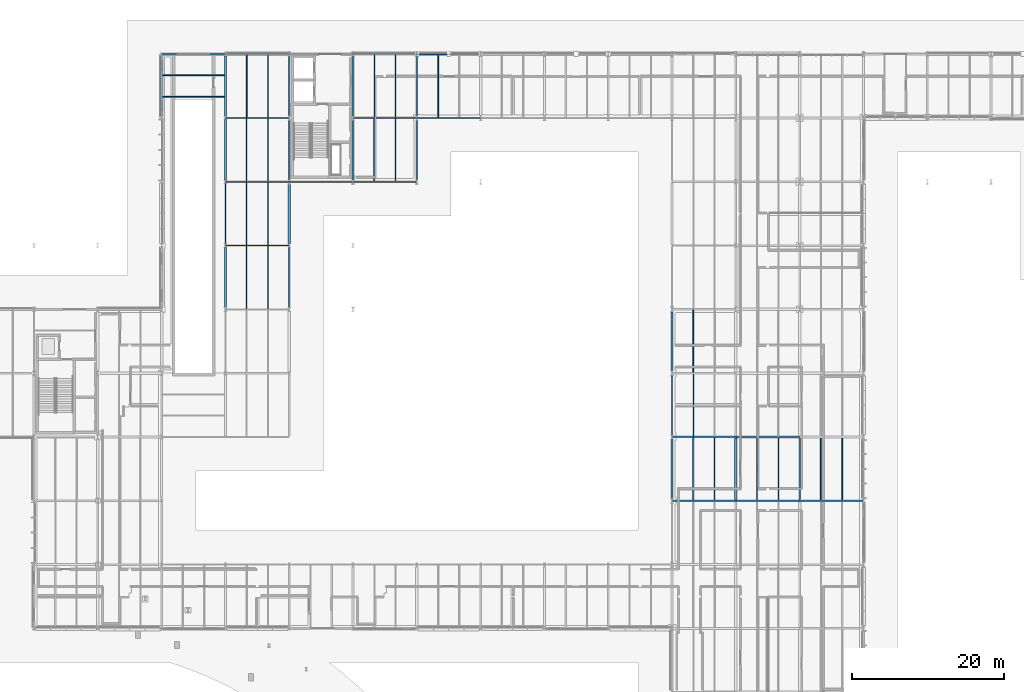
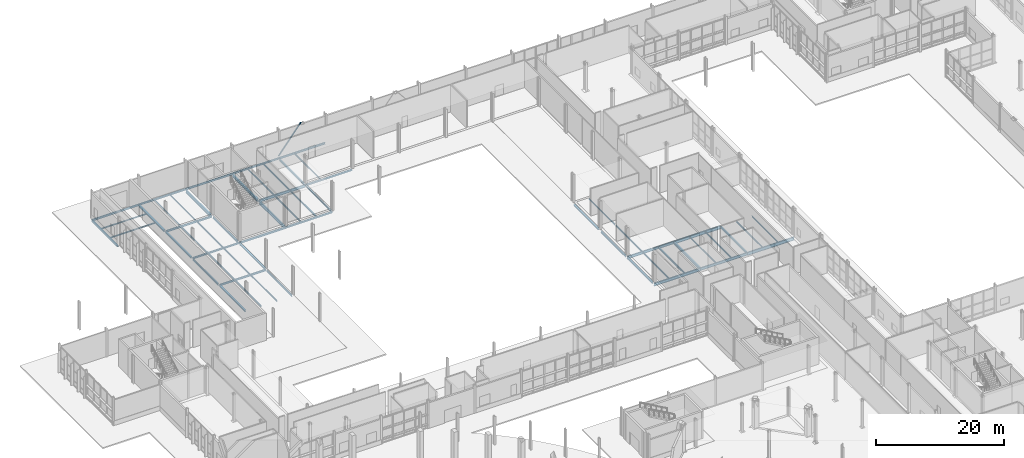
# One storey, part 37 of 124: 58 beams, 1 member.
"""IFC4 building model written with IfcOpenShell, lengths in metres."""

from ifc_helpers import new_model, si_unit, direction, frame, origin, origin_2d, place, context, subcontext, project, spatial, hollow_circle, i_section, extrude, material, material_profile, profile_set, type_object, element, save


model = new_model("IFC4")

# Units and contexts
model_context = context("Model", 3, precision=1e-05, world=origin(), true_north=direction((0.0, 1.0)))
body_context = subcontext(model_context, "Body", "Model", "MODEL_VIEW")
ifc_project = project(units=[si_unit("LENGTHUNIT", "METRE"), si_unit("AREAUNIT", "SQUARE_METRE"), si_unit("VOLUMEUNIT", "CUBIC_METRE"), si_unit("PLANEANGLEUNIT", "RADIAN"), si_unit("MASSUNIT", "GRAM", prefix="KILO")], contexts=[model_context])

# Site, building, storey
site_placement = place(None, origin())
site = spatial("IfcSite", under=ifc_project, at=site_placement, CompositionType="ELEMENT")
building_placement = place(site_placement, origin())
building = spatial("IfcBuilding", under=site, at=building_placement, Name="Mersafa Astral City Hall", CompositionType="ELEMENT")
storey_placement = place(building_placement, origin())
storey = spatial("IfcBuildingStorey", under=building, at=storey_placement, Name="L00", CompositionType="ELEMENT", Elevation=0.0)

# Beams
ifc_material = material(Name="Steel S355", Category="steel")
ifc_material_profile_1 = material_profile(ifc_material, i_section(OverallWidth=0.300048828125, OverallDepth=0.31005859375, WebThickness=0.009033203125, FlangeThickness=0.015380859375, FilletRadius=0.027099609375, at=origin_2d()), Name="HEA 320")
ifc_profile_set_1 = profile_set([ifc_material_profile_1], Name="Steel S355")
beam_type_1 = type_object("IfcBeamType", Name="STR-BM-HEA320", PredefinedType="BEAM", material=ifc_profile_set_1)
beam_1_placement = place(storey_placement, frame((33.60009765625, 117.820068359375, -0.405029296875), z_axis=(0.0, 1.0, 0.0), x_axis=(-1.0, 0.0, 0.0)))
element("IfcBeam", 1, at=beam_1_placement, inside=storey, type_object=beam_type_1, Name="L00 Primary girder Y 4-14", PredefinedType="BEAM", context=body_context, shape_type="SweptSolid", body=[
    extrude(i_section(OverallWidth=0.300048828125, OverallDepth=0.31005859375, WebThickness=0.009033203125, FlangeThickness=0.015380859375, FilletRadius=0.027099609375, at=origin_2d()), origin(), (0.0, 0.0, 1.0), 7.9599609375),
])
ifc_material_profile_2 = material_profile(ifc_material, i_section(OverallWidth=0.300048828125, OverallDepth=0.489990234375, WebThickness=0.011962890625, FlangeThickness=0.02294921875, FilletRadius=0.027099609375, at=origin_2d()), Name="HEA 500")
ifc_profile_set_2 = profile_set([ifc_material_profile_2], Name="Steel S355")
beam_type_2 = type_object("IfcBeamType", Name="STR-BM-HEA500", PredefinedType="BEAM", material=ifc_profile_set_2)
beam_2_placement = place(storey_placement, frame((50.39990234375, 117.89501953125, -0.4951171875), z_axis=(0.0, 1.0, 0.0), x_axis=(-1.0, 0.0, 0.0)))
element("IfcBeam", 2, at=beam_2_placement, inside=storey, type_object=beam_type_2, Name="L00 Primary girder Y 6-14", PredefinedType="BEAM", context=body_context, shape_type="SweptSolid", body=[
    extrude(i_section(OverallWidth=0.300048828125, OverallDepth=0.489990234375, WebThickness=0.011962890625, FlangeThickness=0.02294921875, FilletRadius=0.027099609375, at=origin_2d()), origin(), (0.0, 0.0, 1.0), 7.81005859375),
])
beam_3_placement = place(storey_placement, frame((100.800048828125, 67.344970703125, -0.4951171875), z_axis=(0.0, 1.0, 0.0), x_axis=(-1.0, 0.0, 0.0)))
element("IfcBeam", 3, at=beam_3_placement, inside=storey, type_object=beam_type_2, Name="L00 Primary girder Y 12-8", PredefinedType="BEAM", context=body_context, shape_type="SweptSolid", body=[
    extrude(i_section(OverallWidth=0.300048828125, OverallDepth=0.489990234375, WebThickness=0.011962890625, FlangeThickness=0.02294921875, FilletRadius=0.027099609375, at=origin_2d()), origin(), (0.0, 0.0, 1.0), 8.110107421875),
])
ifc_material_profile_3 = material_profile(ifc_material, i_section(OverallWidth=0.179931640625, OverallDepth=0.39990234375, WebThickness=0.008544921875, FlangeThickness=0.013427734375, FilletRadius=0.02099609375, at=origin_2d()), Name="IPE 400")
ifc_profile_set_3 = profile_set([ifc_material_profile_3], Name="Steel S355")
beam_type_3 = type_object("IfcBeamType", Name="STR-BM-IPE400", PredefinedType="BEAM", material=ifc_profile_set_3)
beam_4_placement = place(storey_placement, frame((58.800048828125, 117.89501953125, -0.449951171875), z_axis=(0.0, 1.0, 0.0), x_axis=(-1.0, 0.0, 0.0)))
element("IfcBeam", 4, at=beam_4_placement, inside=storey, type_object=beam_type_3, Name="L00 Primary girder Y 7-14", PredefinedType="BEAM", context=body_context, shape_type="SweptSolid", body=[
    extrude(i_section(OverallWidth=0.179931640625, OverallDepth=0.39990234375, WebThickness=0.008544921875, FlangeThickness=0.013427734375, FilletRadius=0.02099609375, at=origin_2d()), origin(), (0.0, 0.0, 1.0), 7.81005859375),
])
beam_5_placement = place(storey_placement, frame((109.199951171875, 67.344970703125, -0.449951171875), z_axis=(0.0, 1.0, 0.0), x_axis=(-1.0, 0.0, 0.0)))
element("IfcBeam", 5, at=beam_5_placement, inside=storey, type_object=beam_type_3, Name="L00 Primary girder Y 13-8", PredefinedType="BEAM", context=body_context, shape_type="SweptSolid", body=[
    extrude(i_section(OverallWidth=0.179931640625, OverallDepth=0.39990234375, WebThickness=0.008544921875, FlangeThickness=0.013427734375, FilletRadius=0.02099609375, at=origin_2d()), origin(), (0.0, 0.0, 1.0), 8.110107421875),
])
ifc_material_profile_4 = material_profile(ifc_material, i_section(OverallWidth=0.199951171875, OverallDepth=0.5, WebThickness=0.01025390625, FlangeThickness=0.01611328125, FilletRadius=0.02099609375, at=origin_2d()), Name="IPE 500")
ifc_profile_set_4 = profile_set([ifc_material_profile_4], Name="Steel S355")
beam_type_4 = type_object("IfcBeamType", Name="STR-BM-IPE500", PredefinedType="BEAM", material=ifc_profile_set_4)
for number, where, z_axis, x_axis, name in (
    (6, (100.802978515625, 67.199951171875, -0.5), (1.0, 0.0, 0.0), (0.0, 1.0, 0.0), "L00 Primary girder X 12-8"),
    (7, (92.403076171875, 75.60009765625, -0.5), (1.0, 0.0, 0.0), (0.0, 1.0, 0.0), "L00 Primary girder X 11-9"),
    (8, (50.403076171875, 117.60009765625, -0.5), (1.0, 0.0, 0.0), (0.0, 1.0, 0.0), "L00 Primary girder X 6-14"),
):
    element("IfcBeam", number, at=place(storey_placement, frame(where, z_axis=z_axis, x_axis=x_axis)), inside=storey, type_object=beam_type_4, Name=name, PredefinedType="BEAM", context=body_context, shape_type="SweptSolid", body=[
        extrude(i_section(OverallWidth=0.199951171875, OverallDepth=0.5, WebThickness=0.01025390625, FlangeThickness=0.01611328125, FilletRadius=0.02099609375, at=origin_2d()), origin(), (0.0, 0.0, 1.0), 8.39404296875),
    ])
ifc_material_profile_5 = material_profile(ifc_material, i_section(OverallWidth=0.2099609375, OverallDepth=0.550048828125, WebThickness=0.010986328125, FlangeThickness=0.01708984375, FilletRadius=0.02392578125, at=origin_2d()), Name="IPE 550")
ifc_profile_set_5 = profile_set([ifc_material_profile_5], Name="Steel S355")
beam_type_5 = type_object("IfcBeamType", Name="STR-BM-IPE550", PredefinedType="BEAM", material=ifc_profile_set_5)
beam_6_placement = place(storey_placement, frame((92.403076171875, 67.199951171875, -0.52490234375), z_axis=(1.0, 0.0, 0.0), x_axis=(0.0, 1.0, 0.0)))
element("IfcBeam", 9, at=beam_6_placement, inside=storey, type_object=beam_type_5, Name="L00 Primary girder X 11-8", PredefinedType="BEAM", context=body_context, shape_type="SweptSolid", body=[
    extrude(i_section(OverallWidth=0.2099609375, OverallDepth=0.550048828125, WebThickness=0.010986328125, FlangeThickness=0.01708984375, FilletRadius=0.02392578125, at=origin_2d()), origin(), (0.0, 0.0, 1.0), 8.39404296875),
])
ifc_material_profile_6 = material_profile(ifc_material, i_section(OverallWidth=0.219970703125, OverallDepth=0.60009765625, WebThickness=0.011962890625, FlangeThickness=0.01904296875, FilletRadius=0.02392578125, at=origin_2d()), Name="IPE 600")
ifc_profile_set_6 = profile_set([ifc_material_profile_6], Name="Steel S355")
beam_type_6 = type_object("IfcBeamType", Name="STR-BM-IPE600", PredefinedType="BEAM", material=ifc_profile_set_6)
for number, where, z_axis, x_axis, name in (
    (10, (109.202880859375, 67.199951171875, -0.550048828125), (1.0, 0.0, 0.0), (0.0, 1.0, 0.0), "L00 Primary girder X 13-8"),
    (11, (100.802978515625, 75.60009765625, -0.550048828125), (1.0, 0.0, 0.0), (0.0, 1.0, 0.0), "L00 Primary girder X 12-9"),
):
    element("IfcBeam", number, at=place(storey_placement, frame(where, z_axis=z_axis, x_axis=x_axis)), inside=storey, type_object=beam_type_6, Name=name, PredefinedType="BEAM", context=body_context, shape_type="SweptSolid", body=[
        extrude(i_section(OverallWidth=0.219970703125, OverallDepth=0.60009765625, WebThickness=0.011962890625, FlangeThickness=0.01904296875, FilletRadius=0.02392578125, at=origin_2d()), origin(), (0.0, 0.0, 1.0), 8.39404296875),
    ])
beam_7_placement = place(storey_placement, frame((42.0, 117.89501953125, -0.550048828125), z_axis=(0.0, 1.0, 0.0), x_axis=(-1.0, 0.0, 0.0)))
element("IfcBeam", 12, at=beam_7_placement, inside=storey, type_object=beam_type_6, Name="L00 Primary girder Y 5-14", PredefinedType="BEAM", context=body_context, shape_type="SweptSolid", body=[
    extrude(i_section(OverallWidth=0.219970703125, OverallDepth=0.60009765625, WebThickness=0.011962890625, FlangeThickness=0.01904296875, FilletRadius=0.02392578125, at=origin_2d()), origin(), (0.0, 0.0, 1.0), 7.81005859375),
])
beam_8_placement = place(storey_placement, frame((50.39990234375, 109.4951171875, -0.550048828125), z_axis=(0.0, 1.0, 0.0), x_axis=(-1.0, 0.0, 0.0)))
element("IfcBeam", 13, at=beam_8_placement, inside=storey, type_object=beam_type_6, Name="L00 Primary girder Y 6-13", PredefinedType="BEAM", context=body_context, shape_type="SweptSolid", body=[
    extrude(i_section(OverallWidth=0.219970703125, OverallDepth=0.60009765625, WebThickness=0.011962890625, FlangeThickness=0.01904296875, FilletRadius=0.02392578125, at=origin_2d()), origin(), (0.0, 0.0, 1.0), 7.809814453125),
])
ifc_material_profile_7 = material_profile(ifc_material, i_section(OverallWidth=0.110107421875, OverallDepth=0.219970703125, WebThickness=0.005859375, FlangeThickness=0.00927734375, FilletRadius=0.011962890625, at=origin_2d()), Name="IPE 220")
ifc_profile_set_7 = profile_set([ifc_material_profile_7], Name="Steel S355")
beam_type_7 = type_object("IfcBeamType", Name="STR-BM-JOIST-IPE220", PredefinedType="JOIST", material=ifc_profile_set_7)
for number, where, z_axis, x_axis, name in (
    (14, (36.39990234375, 117.679931640625, -0.360107421875), (0.0, 1.0, 0.0), (-1.0, 0.0, 0.0), "L00 Composite secondary floor joist 28"),
    (15, (39.199951171875, 117.679931640625, -0.360107421875), (0.0, 1.0, 0.0), (-1.0, 0.0, 0.0), "L00 Composite secondary floor joist 29"),
):
    element("IfcBeam", number, at=place(storey_placement, frame(where, z_axis=z_axis, x_axis=x_axis)), inside=storey, type_object=beam_type_7, Name=name, PredefinedType="JOIST", context=body_context, shape_type="SweptSolid", body=[
        extrude(i_section(OverallWidth=0.110107421875, OverallDepth=0.219970703125, WebThickness=0.005859375, FlangeThickness=0.00927734375, FilletRadius=0.011962890625, at=origin_2d()), origin(), (0.0, 0.0, 1.0), 8.2451171875),
    ])
ifc_material_profile_8 = material_profile(ifc_material, i_section(OverallWidth=0.1201171875, OverallDepth=0.239990234375, WebThickness=0.006103515625, FlangeThickness=0.009765625, FilletRadius=0.014892578125, at=origin_2d()), Name="IPE 240")
ifc_profile_set_8 = profile_set([ifc_material_profile_8], Name="Steel S355")
beam_type_8 = type_object("IfcBeamType", Name="STR-BM-JOIST-IPE240", PredefinedType="JOIST", material=ifc_profile_set_8)
for number, where, z_axis, x_axis, name in (
    (16, (25.3349609375, 120.39990234375, -0.3701171875), (1.0, 0.0, 0.0), (0.0, 1.0, 0.0), "L00 Composite secondary floor joist 24"),
    (17, (25.3349609375, 123.199951171875, -0.3701171875), (1.0, 0.0, 0.0), (0.0, 1.0, 0.0), "L00 Composite secondary floor joist 25"),
):
    element("IfcBeam", number, at=place(storey_placement, frame(where, z_axis=z_axis, x_axis=x_axis)), inside=storey, type_object=beam_type_8, Name=name, PredefinedType="JOIST", context=body_context, shape_type="SweptSolid", body=[
        extrude(i_section(OverallWidth=0.1201171875, OverallDepth=0.239990234375, WebThickness=0.006103515625, FlangeThickness=0.009765625, FilletRadius=0.014892578125, at=origin_2d()), origin(), (0.0, 0.0, 1.0), 8.1201171875),
    ])
beam_9_placement = place(storey_placement, frame((61.60009765625, 117.675048828125, -0.3701171875), z_axis=(0.0, 1.0, 0.0), x_axis=(-1.0, 0.0, 0.0)))
element("IfcBeam", 18, at=beam_9_placement, inside=storey, type_object=beam_type_8, Name="L00 Composite secondary floor joist 40", PredefinedType="JOIST", context=body_context, shape_type="SweptSolid", body=[
    extrude(i_section(OverallWidth=0.1201171875, OverallDepth=0.239990234375, WebThickness=0.006103515625, FlangeThickness=0.009765625, FilletRadius=0.014892578125, at=origin_2d()), origin(), (0.0, 0.0, 1.0), 8.244873046875),
])
beam_10_placement = place(storey_placement, frame((95.199951171875, 84.10498046875, -0.3701171875), z_axis=(0.0, 1.0, 0.0), x_axis=(-1.0, 0.0, 0.0)))
element("IfcBeam", 19, at=beam_10_placement, inside=storey, type_object=beam_type_8, Name="L00 Composite secondary floor joist 74", PredefinedType="JOIST", context=body_context, shape_type="SweptSolid", body=[
    extrude(i_section(OverallWidth=0.1201171875, OverallDepth=0.239990234375, WebThickness=0.006103515625, FlangeThickness=0.009765625, FilletRadius=0.014892578125, at=origin_2d()), origin(), (0.0, 0.0, 1.0), 8.215087890625),
])
for number, where, z_axis, x_axis, name in (
    (20, (112.0, 67.304931640625, -0.3701171875), (0.0, 1.0, 0.0), (-1.0, 0.0, 0.0), "L00 Composite secondary floor joist 124"),
    (21, (114.800048828125, 67.304931640625, -0.3701171875), (0.0, 1.0, 0.0), (-1.0, 0.0, 0.0), "L00 Composite secondary floor joist 125"),
):
    element("IfcBeam", number, at=place(storey_placement, frame(where, z_axis=z_axis, x_axis=x_axis)), inside=storey, type_object=beam_type_8, Name=name, PredefinedType="JOIST", context=body_context, shape_type="SweptSolid", body=[
        extrude(i_section(OverallWidth=0.1201171875, OverallDepth=0.239990234375, WebThickness=0.006103515625, FlangeThickness=0.009765625, FilletRadius=0.014892578125, at=origin_2d()), origin(), (0.0, 0.0, 1.0), 8.150146484375),
    ])
ifc_material_profile_9 = material_profile(ifc_material, i_section(OverallWidth=0.135009765625, OverallDepth=0.27001953125, WebThickness=0.006591796875, FlangeThickness=0.01025390625, FilletRadius=0.014892578125, at=origin_2d()), Name="IPE 270")
ifc_profile_set_9 = profile_set([ifc_material_profile_9], Name="Steel S355")
beam_type_9 = type_object("IfcBeamType", Name="STR-BM-JOIST-IPE270", PredefinedType="JOIST", material=ifc_profile_set_9)
for number, where, z_axis, x_axis, name in (
    (22, (53.199951171875, 117.695068359375, -0.385009765625), (0.0, 1.0, 0.0), (-1.0, 0.0, 0.0), "L00 Composite secondary floor joist 36"),
    (23, (56.0, 117.695068359375, -0.385009765625), (0.0, 1.0, 0.0), (-1.0, 0.0, 0.0), "L00 Composite secondary floor joist 37"),
):
    element("IfcBeam", number, at=place(storey_placement, frame(where, z_axis=z_axis, x_axis=x_axis)), inside=storey, type_object=beam_type_9, Name=name, PredefinedType="JOIST", context=body_context, shape_type="SweptSolid", body=[
        extrude(i_section(OverallWidth=0.135009765625, OverallDepth=0.27001953125, WebThickness=0.006591796875, FlangeThickness=0.01025390625, FilletRadius=0.014892578125, at=origin_2d()), origin(), (0.0, 0.0, 1.0), 8.22998046875),
    ])
beam_11_placement = place(storey_placement, frame((95.199951171875, 75.695068359375, -0.385009765625), z_axis=(0.0, 1.0, 0.0), x_axis=(-1.0, 0.0, 0.0)))
element("IfcBeam", 24, at=beam_11_placement, inside=storey, type_object=beam_type_9, Name="L00 Composite secondary floor joist 72", PredefinedType="JOIST", context=body_context, shape_type="SweptSolid", body=[
    extrude(i_section(OverallWidth=0.135009765625, OverallDepth=0.27001953125, WebThickness=0.006591796875, FlangeThickness=0.01025390625, FilletRadius=0.014892578125, at=origin_2d()), origin(), (0.0, 0.0, 1.0), 8.199951171875),
])
for number, where, z_axis, x_axis, name in (
    (25, (103.60009765625, 67.294921875, -0.385009765625), (0.0, 1.0, 0.0), (-1.0, 0.0, 0.0), "L00 Composite secondary floor joist 94"),
    (26, (106.39990234375, 67.294921875, -0.385009765625), (0.0, 1.0, 0.0), (-1.0, 0.0, 0.0), "L00 Composite secondary floor joist 95"),
):
    element("IfcBeam", number, at=place(storey_placement, frame(where, z_axis=z_axis, x_axis=x_axis)), inside=storey, type_object=beam_type_9, Name=name, PredefinedType="JOIST", context=body_context, shape_type="SweptSolid", body=[
        extrude(i_section(OverallWidth=0.135009765625, OverallDepth=0.27001953125, WebThickness=0.006591796875, FlangeThickness=0.01025390625, FilletRadius=0.014892578125, at=origin_2d()), origin(), (0.0, 0.0, 1.0), 8.2001953125),
    ])
for number, where, z_axis, x_axis, name in (
    (27, (36.39990234375, 92.47509765625, -0.385009765625), (0.0, 1.0, 0.0), (-1.0, 0.0, 0.0), "L00 Flat roof secondary joist 7"),
    (28, (39.199951171875, 92.47509765625, -0.385009765625), (0.0, 1.0, 0.0), (-1.0, 0.0, 0.0), "L00 Flat roof secondary joist 8"),
):
    element("IfcBeam", number, at=place(storey_placement, frame(where, z_axis=z_axis, x_axis=x_axis)), inside=storey, type_object=beam_type_9, Name=name, PredefinedType="JOIST", context=body_context, shape_type="SweptSolid", body=[
        extrude(i_section(OverallWidth=0.135009765625, OverallDepth=0.27001953125, WebThickness=0.006591796875, FlangeThickness=0.01025390625, FilletRadius=0.014892578125, at=origin_2d()), origin(), (0.0, 0.0, 1.0), 8.244873046875),
    ])
for number, where, z_axis, x_axis, name in (
    (29, (36.39990234375, 100.8798828125, -0.385009765625), (0.0, 1.0, 0.0), (-1.0, 0.0, 0.0), "L00 Flat roof secondary joist 9"),
    (30, (39.199951171875, 100.8798828125, -0.385009765625), (0.0, 1.0, 0.0), (-1.0, 0.0, 0.0), "L00 Flat roof secondary joist 10"),
    (31, (36.39990234375, 109.27490234375, -0.385009765625), (0.0, 1.0, 0.0), (-1.0, 0.0, 0.0), "L00 Flat roof secondary joist 11"),
    (32, (39.199951171875, 109.27490234375, -0.385009765625), (0.0, 1.0, 0.0), (-1.0, 0.0, 0.0), "L00 Flat roof secondary joist 12"),
):
    element("IfcBeam", number, at=place(storey_placement, frame(where, z_axis=z_axis, x_axis=x_axis)), inside=storey, type_object=beam_type_9, Name=name, PredefinedType="JOIST", context=body_context, shape_type="SweptSolid", body=[
        extrude(i_section(OverallWidth=0.135009765625, OverallDepth=0.27001953125, WebThickness=0.006591796875, FlangeThickness=0.01025390625, FilletRadius=0.014892578125, at=origin_2d()), origin(), (0.0, 0.0, 1.0), 8.2451171875),
    ])
ifc_material_profile_10 = material_profile(ifc_material, i_section(OverallWidth=0.14990234375, OverallDepth=0.300048828125, WebThickness=0.007080078125, FlangeThickness=0.0107421875, FilletRadius=0.014892578125, at=origin_2d()), Name="IPE 300")
ifc_profile_set_10 = profile_set([ifc_material_profile_10], Name="Steel S355")
beam_type_10 = type_object("IfcBeamType", Name="STR-BM-JOIST-IPE300", PredefinedType="JOIST", material=ifc_profile_set_10)
for number, where, z_axis, x_axis, name in (
    (33, (53.199951171875, 109.27490234375, -0.39990234375), (0.0, 1.0, 0.0), (-1.0, 0.0, 0.0), "L00 Composite secondary floor joist 34"),
    (34, (56.0, 109.27490234375, -0.39990234375), (0.0, 1.0, 0.0), (-1.0, 0.0, 0.0), "L00 Composite secondary floor joist 35"),
):
    element("IfcBeam", number, at=place(storey_placement, frame(where, z_axis=z_axis, x_axis=x_axis)), inside=storey, type_object=beam_type_10, Name=name, PredefinedType="JOIST", context=body_context, shape_type="SweptSolid", body=[
        extrude(i_section(OverallWidth=0.14990234375, OverallDepth=0.300048828125, WebThickness=0.007080078125, FlangeThickness=0.0107421875, FilletRadius=0.014892578125, at=origin_2d()), origin(), (0.0, 0.0, 1.0), 8.22998046875),
    ])
for number, where, z_axis, x_axis, name in (
    (35, (95.199951171875, 67.300048828125, -0.39990234375), (0.0, 1.0, 0.0), (-1.0, 0.0, 0.0), "L00 Composite secondary floor joist 70"),
    (36, (98.0, 67.300048828125, -0.39990234375), (0.0, 1.0, 0.0), (-1.0, 0.0, 0.0), "L00 Composite secondary floor joist 71"),
):
    element("IfcBeam", number, at=place(storey_placement, frame(where, z_axis=z_axis, x_axis=x_axis)), inside=storey, type_object=beam_type_10, Name=name, PredefinedType="JOIST", context=body_context, shape_type="SweptSolid", body=[
        extrude(i_section(OverallWidth=0.14990234375, OverallDepth=0.300048828125, WebThickness=0.007080078125, FlangeThickness=0.0107421875, FilletRadius=0.014892578125, at=origin_2d()), origin(), (0.0, 0.0, 1.0), 8.204833984375),
    ])
ifc_material_profile_11 = material_profile(ifc_material, i_section(OverallWidth=0.280029296875, OverallDepth=0.27001953125, WebThickness=0.008056640625, FlangeThickness=0.012939453125, FilletRadius=0.02392578125, at=origin_2d()), Name="HEA 280")
ifc_profile_set_11 = profile_set([ifc_material_profile_11], Name="Steel S355")
beam_type_11 = type_object("IfcBeamType", Name="STR-BM-SPANDREL-HEA280", PredefinedType="SPANDREL", material=ifc_profile_set_11)
beam_12_placement = place(storey_placement, frame((25.199951171875, 117.764892578125, -0.385009765625), z_axis=(0.0, 1.0, 0.0), x_axis=(-1.0, 0.0, 0.0)))
element("IfcBeam", 37, at=beam_12_placement, inside=storey, type_object=beam_type_11, Name="L00 Primary girder Y 3-14", PredefinedType="SPANDREL", context=body_context, shape_type="SweptSolid", body=[
    extrude(i_section(OverallWidth=0.280029296875, OverallDepth=0.27001953125, WebThickness=0.008056640625, FlangeThickness=0.012939453125, FilletRadius=0.02392578125, at=origin_2d()), origin(), (0.0, 0.0, 1.0), 8.06005859375),
])
beam_13_placement = place(storey_placement, frame((33.60009765625, 92.64501953125, -0.385009765625), z_axis=(0.0, 1.0, 0.0), x_axis=(-1.0, 0.0, 0.0)))
element("IfcBeam", 38, at=beam_13_placement, inside=storey, type_object=beam_type_11, Name="L00 Primary girder Y 4-11", PredefinedType="SPANDREL", context=body_context, shape_type="SweptSolid", body=[
    extrude(i_section(OverallWidth=0.280029296875, OverallDepth=0.27001953125, WebThickness=0.008056640625, FlangeThickness=0.012939453125, FilletRadius=0.02392578125, at=origin_2d()), origin(), (0.0, 0.0, 1.0), 7.909912109375),
])
beam_14_placement = place(storey_placement, frame((33.60009765625, 109.419921875, -0.385009765625), z_axis=(0.0, 1.0, 0.0), x_axis=(-1.0, 0.0, 0.0)))
element("IfcBeam", 39, at=beam_14_placement, inside=storey, type_object=beam_type_11, Name="L00 Primary girder Y 4-13", PredefinedType="SPANDREL", context=body_context, shape_type="SweptSolid", body=[
    extrude(i_section(OverallWidth=0.280029296875, OverallDepth=0.27001953125, WebThickness=0.008056640625, FlangeThickness=0.012939453125, FilletRadius=0.02392578125, at=origin_2d()), origin(), (0.0, 0.0, 1.0), 7.9599609375),
])
beam_15_placement = place(storey_placement, frame((42.0, 101.044921875, -0.385009765625), z_axis=(0.0, 1.0, 0.0), x_axis=(-1.0, 0.0, 0.0)))
element("IfcBeam", 40, at=beam_15_placement, inside=storey, type_object=beam_type_11, Name="L00 Primary girder Y 5-12", PredefinedType="SPANDREL", context=body_context, shape_type="SweptSolid", body=[
    extrude(i_section(OverallWidth=0.280029296875, OverallDepth=0.27001953125, WebThickness=0.008056640625, FlangeThickness=0.012939453125, FilletRadius=0.02392578125, at=origin_2d()), origin(), (0.0, 0.0, 1.0), 7.860107421875),
])
for number, where, z_axis, x_axis, name in (
    (41, (92.39990234375, 67.52001953125, -0.385009765625), (0.0, 1.0, 0.0), (-1.0, 0.0, 0.0), "L00 Primary girder Y 11-8"),
    (42, (92.39990234375, 84.320068359375, -0.385009765625), (0.0, 1.0, 0.0), (-1.0, 0.0, 0.0), "L00 Primary girder Y 11-10"),
):
    element("IfcBeam", number, at=place(storey_placement, frame(where, z_axis=z_axis, x_axis=x_axis)), inside=storey, type_object=beam_type_11, Name=name, PredefinedType="SPANDREL", context=body_context, shape_type="SweptSolid", body=[
        extrude(i_section(OverallWidth=0.280029296875, OverallDepth=0.27001953125, WebThickness=0.008056640625, FlangeThickness=0.012939453125, FilletRadius=0.02392578125, at=origin_2d()), origin(), (0.0, 0.0, 1.0), 7.760009765625),
    ])
ifc_material_profile_12 = material_profile(ifc_material, i_section(OverallWidth=0.159912109375, OverallDepth=0.330078125, WebThickness=0.007568359375, FlangeThickness=0.011474609375, FilletRadius=0.01806640625, at=origin_2d()), Name="IPE 330")
ifc_profile_set_12 = profile_set([ifc_material_profile_12], Name="Steel S355")
beam_type_12 = type_object("IfcBeamType", Name="STR-BM-SPANDREL-IPE330", PredefinedType="SPANDREL", material=ifc_profile_set_12)
for number, where, z_axis, x_axis, name in (
    (43, (33.60302734375, 109.199951171875, -0.4150390625), (1.0, 0.0, 0.0), (0.0, 1.0, 0.0), "L00 Primary girder X 4-13"),
    (44, (50.403076171875, 109.199951171875, -0.4150390625), (1.0, 0.0, 0.0), (0.0, 1.0, 0.0), "L00 Primary girder X 6-13"),
    (45, (58.802978515625, 117.60009765625, -0.4150390625), (1.0, 0.0, 0.0), (0.0, 1.0, 0.0), "L00 Primary girder X 7-14"),
    (46, (33.60302734375, 126.0, -0.4150390625), (1.0, 0.0, 0.0), (0.0, 1.0, 0.0), "L00 Primary girder X 4-15"),
    (47, (50.403076171875, 126.0, -0.4150390625), (1.0, 0.0, 0.0), (0.0, 1.0, 0.0), "L00 Primary girder X 6-15"),
):
    element("IfcBeam", number, at=place(storey_placement, frame(where, z_axis=z_axis, x_axis=x_axis)), inside=storey, type_object=beam_type_12, Name=name, PredefinedType="SPANDREL", context=body_context, shape_type="SweptSolid", body=[
        extrude(i_section(OverallWidth=0.159912109375, OverallDepth=0.330078125, WebThickness=0.007568359375, FlangeThickness=0.011474609375, FilletRadius=0.01806640625, at=origin_2d()), origin(), (0.0, 0.0, 1.0), 8.39404296875),
    ])
ifc_material_profile_13 = material_profile(ifc_material, i_section(OverallWidth=0.169921875, OverallDepth=0.360107421875, WebThickness=0.008056640625, FlangeThickness=0.0126953125, FilletRadius=0.01806640625, at=origin_2d()), Name="IPE 360")
ifc_profile_set_13 = profile_set([ifc_material_profile_13], Name="Steel S355")
beam_type_13 = type_object("IfcBeamType", Name="STR-BM-SPANDREL-IPE360", PredefinedType="SPANDREL", material=ifc_profile_set_13)
for number, where, z_axis, x_axis, name in (
    (48, (33.60302734375, 100.800048828125, -0.429931640625), (1.0, 0.0, 0.0), (0.0, 1.0, 0.0), "L00 Primary girder X 4-12"),
    (49, (42.0029296875, 109.199951171875, -0.429931640625), (1.0, 0.0, 0.0), (0.0, 1.0, 0.0), "L00 Primary girder X 5-13"),
    (50, (33.60302734375, 117.60009765625, -0.429931640625), (1.0, 0.0, 0.0), (0.0, 1.0, 0.0), "L00 Primary girder X 4-14"),
    (51, (25.202880859375, 126.0, -0.429931640625), (1.0, 0.0, 0.0), (0.0, 1.0, 0.0), "L00 Primary girder X 3-15"),
    (52, (42.0029296875, 126.0, -0.429931640625), (1.0, 0.0, 0.0), (0.0, 1.0, 0.0), "L00 Primary girder X 5-15"),
    (53, (58.802978515625, 126.0, -0.429931640625), (1.0, 0.0, 0.0), (0.0, 1.0, 0.0), "L00 Primary girder X 7-15"),
):
    element("IfcBeam", number, at=place(storey_placement, frame(where, z_axis=z_axis, x_axis=x_axis)), inside=storey, type_object=beam_type_13, Name=name, PredefinedType="SPANDREL", context=body_context, shape_type="SweptSolid", body=[
        extrude(i_section(OverallWidth=0.169921875, OverallDepth=0.360107421875, WebThickness=0.008056640625, FlangeThickness=0.0126953125, FilletRadius=0.01806640625, at=origin_2d()), origin(), (0.0, 0.0, 1.0), 8.39404296875),
    ])
beam_16_placement = place(storey_placement, frame((33.60009765625, 101.044921875, -0.429931640625), z_axis=(0.0, 1.0, 0.0), x_axis=(-1.0, 0.0, 0.0)))
element("IfcBeam", 54, at=beam_16_placement, inside=storey, type_object=beam_type_13, Name="L00 Primary girder Y 4-12", PredefinedType="SPANDREL", context=body_context, shape_type="SweptSolid", body=[
    extrude(i_section(OverallWidth=0.169921875, OverallDepth=0.360107421875, WebThickness=0.008056640625, FlangeThickness=0.0126953125, FilletRadius=0.01806640625, at=origin_2d()), origin(), (0.0, 0.0, 1.0), 7.93505859375),
])
beam_17_placement = place(storey_placement, frame((42.0, 92.64501953125, -0.429931640625), z_axis=(0.0, 1.0, 0.0), x_axis=(-1.0, 0.0, 0.0)))
element("IfcBeam", 55, at=beam_17_placement, inside=storey, type_object=beam_type_13, Name="L00 Primary girder Y 5-11", PredefinedType="SPANDREL", context=body_context, shape_type="SweptSolid", body=[
    extrude(i_section(OverallWidth=0.169921875, OverallDepth=0.360107421875, WebThickness=0.008056640625, FlangeThickness=0.0126953125, FilletRadius=0.01806640625, at=origin_2d()), origin(), (0.0, 0.0, 1.0), 7.909912109375),
])
for number, where, z_axis, x_axis, name in (
    (56, (42.0, 109.4951171875, -0.429931640625), (0.0, 1.0, 0.0), (-1.0, 0.0, 0.0), "L00 Primary girder Y 5-13"),
    (57, (58.800048828125, 109.4951171875, -0.429931640625), (0.0, 1.0, 0.0), (-1.0, 0.0, 0.0), "L00 Primary girder Y 7-13"),
):
    element("IfcBeam", number, at=place(storey_placement, frame(where, z_axis=z_axis, x_axis=x_axis)), inside=storey, type_object=beam_type_13, Name=name, PredefinedType="SPANDREL", context=body_context, shape_type="SweptSolid", body=[
        extrude(i_section(OverallWidth=0.169921875, OverallDepth=0.360107421875, WebThickness=0.008056640625, FlangeThickness=0.0126953125, FilletRadius=0.01806640625, at=origin_2d()), origin(), (0.0, 0.0, 1.0), 7.809814453125),
    ])
beam_18_placement = place(storey_placement, frame((92.39990234375, 75.919921875, -0.429931640625), z_axis=(0.0, 1.0, 0.0), x_axis=(-1.0, 0.0, 0.0)))
element("IfcBeam", 58, at=beam_18_placement, inside=storey, type_object=beam_type_13, Name="L00 Primary girder Y 11-9", PredefinedType="SPANDREL", context=body_context, shape_type="SweptSolid", body=[
    extrude(i_section(OverallWidth=0.169921875, OverallDepth=0.360107421875, WebThickness=0.008056640625, FlangeThickness=0.0126953125, FilletRadius=0.01806640625, at=origin_2d()), origin(), (0.0, 0.0, 1.0), 7.760009765625),
])

# Member
ifc_material_profile_14 = material_profile(ifc_material, hollow_circle(Radius=0.122314453125, WallThickness=0.012451171875, at=origin_2d()), Name="CHS 244.5x12.5")
ifc_profile_set_14 = profile_set([ifc_material_profile_14], Name="Steel S355")
member_type = type_object("IfcMemberType", Name="STR-MBR-BRACE-CHS245", PredefinedType="BRACE", material=ifc_profile_set_14)
member_placement = place(storey_placement, frame((58.798095703125, 126.0, 0.02001953125), z_axis=(0.626392333836, 0.0, 0.779507949999), x_axis=(0.0, 1.0, 0.0)))
element("IfcMember", 59, at=member_placement, inside=storey, type_object=member_type, Name="L00 Chevron lateral brace 2A", PredefinedType="BRACE", context=body_context, shape_type="SweptSolid", body=[
    extrude(hollow_circle(Radius=0.122314453125, WallThickness=0.012451171875, at=origin_2d()), origin(), (0.0, 0.0, 1.0), 6.48486328125),
])

save(model, "model.ifc")
